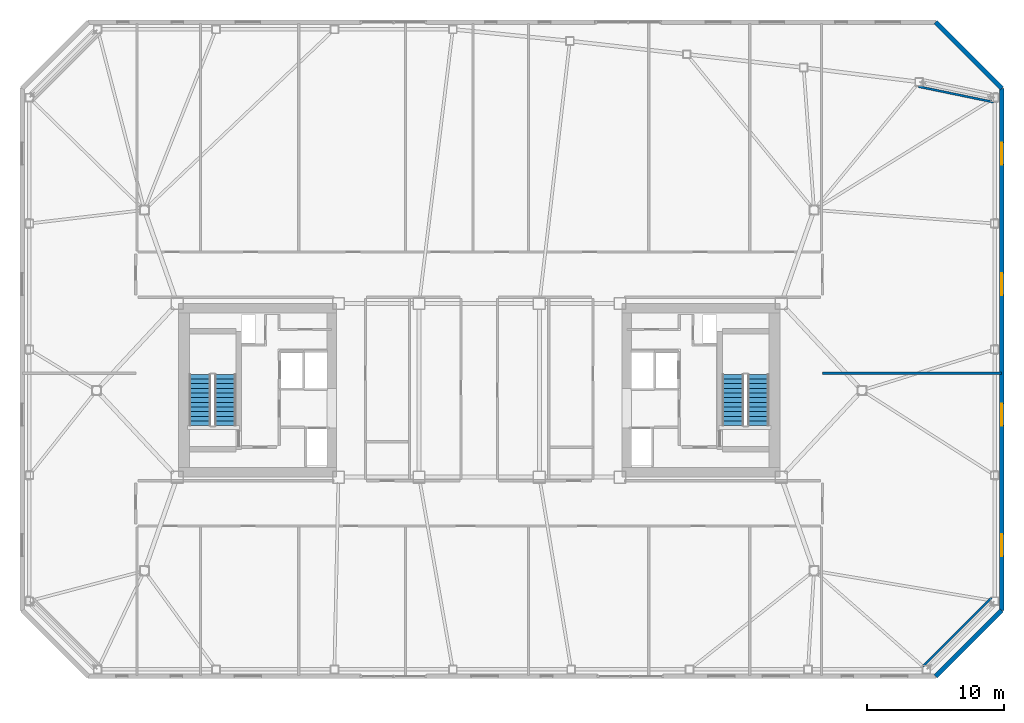
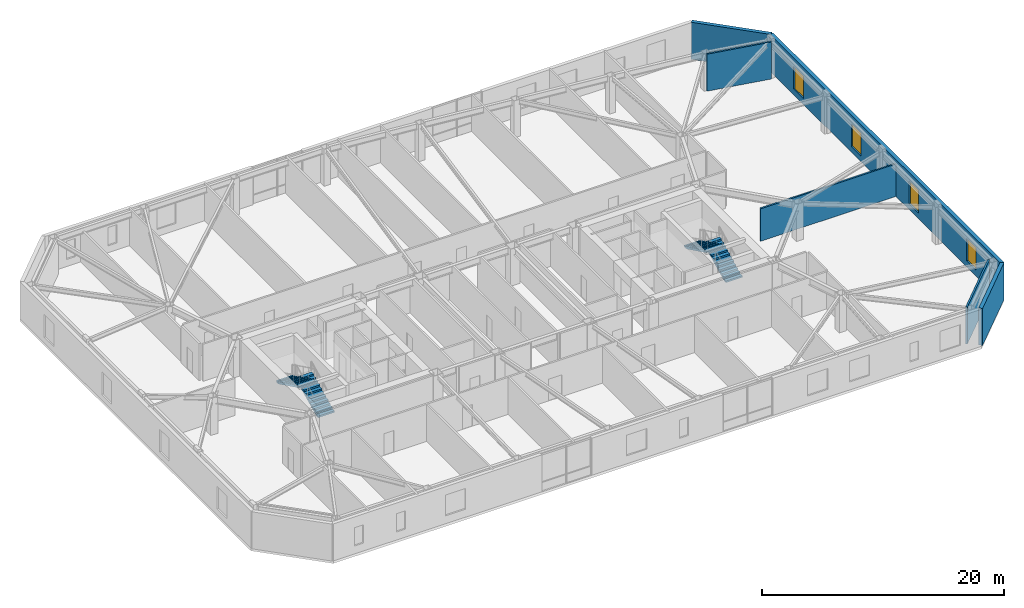
# One storey, part 14 of 18: 6 walls, 4 stair flights, 4 windows, 4 openings, 2 elements without a shape of their own.
"""IFC4 building model written with IfcOpenShell, lengths in metres."""

from ifc_helpers import new_model, si_unit, direction, frame, frame_2d, origin, place, context, subcontext, project, spatial, polyline, rectangle, outline, extrude, material, layer, layer_set, type_object, element, fill, aggregate, save


model = new_model("IFC4")

# Units and contexts
model_context = context("Model", 3, precision=1e-05, world=origin(), true_north=direction((0.0, 1.0)))
body_context = subcontext(model_context, "Body", "Model", "MODEL_VIEW")
ifc_project = project(units=[si_unit("LENGTHUNIT", "METRE"), si_unit("AREAUNIT", "SQUARE_METRE"), si_unit("VOLUMEUNIT", "CUBIC_METRE"), si_unit("PLANEANGLEUNIT", "RADIAN"), si_unit("MASSUNIT", "GRAM", prefix="KILO")], contexts=[model_context])

# Site, building, storey
site_placement = place(None, origin())
site = spatial("IfcSite", under=ifc_project, at=site_placement, CompositionType="ELEMENT")
building_placement = place(site_placement, origin())
building = spatial("IfcBuilding", under=site, at=building_placement, Name="Tavrogorsk Clinical Tower", CompositionType="ELEMENT")
storey_placement = place(building_placement, frame((0.0, 0.0, 200.199951171875)))
storey = spatial("IfcBuildingStorey", under=building, at=storey_placement, Name="L46", CompositionType="ELEMENT", Elevation=200.199951171875)

# Walls
ifc_material_1 = material(Name="Lightweight concrete blockwork B15", Category="masonry")
ifc_layer_1 = layer(ifc_material_1, 0.159912109375)
ifc_layer_set_1 = layer_set([ifc_layer_1], Name="Lightweight concrete blockwork B15")
wall_type_1 = type_object("IfcWallType", Name="PartitionWall_160", PredefinedType="PARTITIONING", material=ifc_layer_set_1)
wall_1_placement = place(storey_placement, frame((32.4794921875, -20.1796875, 0.0), z_axis=(0.0, 0.0, 1.0), x_axis=(0.707106781187, 0.707106781187, 0.0)))
element("IfcWall", 1, at=wall_1_placement, inside=storey, type_object=wall_type_1, Name="L46 Corner Exoskeleton Brace Furring Wall 1", PredefinedType="PARTITIONING", context=body_context, shape_type="SweptSolid", body=[
    extrude(rectangle(XDim=7.071044921875, YDim=0.159912109375, at=frame_2d((3.53564453125, 0.0))), origin(), (0.0, 0.0, 1.0), 3.739990234375),
])
wall_2_placement = place(storey_placement, frame((37.65087890625, 21.0869140625, 0.0), z_axis=(0.0, 0.0, 1.0), x_axis=(-0.979184618318, 0.202971631636, 0.0)))
element("IfcWall", 2, at=wall_2_placement, inside=storey, type_object=wall_type_1, Name="L46 Corner Exoskeleton Brace Furring Wall 2", PredefinedType="PARTITIONING", context=body_context, shape_type="SweptSolid", body=[
    extrude(rectangle(XDim=5.64599609375, YDim=0.159912109375, at=frame_2d((2.822998046875, 0.0))), origin(), (0.0, 0.0, 1.0), 3.739990234375),
])
wall_3_placement = place(storey_placement, frame((25.1298828125, 1.25, 0.0), z_axis=(0.0, 0.0, 1.0), x_axis=(1.0, 0.0, 0.0)))
element("IfcWall", 3, at=wall_3_placement, inside=storey, type_object=wall_type_1, Name="L46 E Wing Divider 1", PredefinedType="PARTITIONING", context=body_context, shape_type="SweptSolid", body=[
    extrude(rectangle(XDim=13.080078125, YDim=0.159912109375, at=frame_2d((6.5400390625, 0.0))), origin(), (0.0, 0.0, 1.0), 3.28515625),
])

# Wall, openings, windows
ifc_material_2 = material(Name="Precast concrete B45 with limestone cladding", Category="masonry")
ifc_layer_2 = layer(ifc_material_2, 0.340087890625)
ifc_layer_set_2 = layer_set([ifc_layer_2], Name="Precast concrete B45 with limestone cladding")
wall_type_2 = type_object("IfcWallType", Name="PrecastLimestoneWall_340", PredefinedType="STANDARD", material=ifc_layer_set_2)
wall_4_placement = place(storey_placement, frame((38.22998046875, -16.10009765625, 0.0), z_axis=(0.0, 0.0, 1.0), x_axis=(0.0, 1.0, 0.0)))
wall_4 = element("IfcWall", 4, at=wall_4_placement, inside=storey, type_object=wall_type_2, Name="L46 E Pleated Limestone Wing Wall", PredefinedType="STANDARD", context=body_context, shape_type="SweptSolid", body=[
    extrude(rectangle(XDim=38.2001953125, YDim=0.340087890625, at=frame_2d((19.10009765625, 0.0))), origin(), (0.0, 0.0, 1.0), 3.739990234375),
])
opening_1_placement = place(wall_4_placement, frame((3.97509765625, 0.0, 0.580078125)))
opening_1 = element("IfcOpeningElement", 5, at=opening_1_placement, cuts=wall_4, Name="Opening WN-07", PredefinedType="OPENING", context=body_context, shape_type="SweptSolid", body=[
    extrude(rectangle(XDim=1.60009765625, YDim=2.300048828125, at=frame_2d((0.800048828125, 1.14990234375))), frame((0.0, 0.179931640625, 0.0), z_axis=(0.0, -1.0, 0.0), x_axis=(1.0, 0.0, 0.0)), (0.0, 0.0, 1.0), 0.360107421875),
])
opening_2_placement = place(wall_4_placement, frame((13.52490234375, 0.0, 0.580078125)))
opening_2 = element("IfcOpeningElement", 6, at=opening_2_placement, cuts=wall_4, Name="Opening WN-07", PredefinedType="OPENING", context=body_context, shape_type="SweptSolid", body=[
    extrude(rectangle(XDim=1.60009765625, YDim=2.300048828125, at=frame_2d((0.800048828125, 1.14990234375))), frame((0.0, 0.179931640625, 0.0), z_axis=(0.0, -1.0, 0.0), x_axis=(1.0, 0.0, 0.0)), (0.0, 0.0, 1.0), 0.360107421875),
])
opening_3_placement = place(wall_4_placement, frame((23.074951171875, 0.0, 0.580078125)))
opening_3 = element("IfcOpeningElement", 7, at=opening_3_placement, cuts=wall_4, Name="Opening WN-07", PredefinedType="OPENING", context=body_context, shape_type="SweptSolid", body=[
    extrude(rectangle(XDim=1.60009765625, YDim=2.300048828125, at=frame_2d((0.800048828125, 1.14990234375))), frame((0.0, 0.179931640625, 0.0), z_axis=(0.0, -1.0, 0.0), x_axis=(1.0, 0.0, 0.0)), (0.0, 0.0, 1.0), 0.360107421875),
])
opening_4_placement = place(wall_4_placement, frame((32.625, 0.0, 0.580078125)))
opening_4 = element("IfcOpeningElement", 8, at=opening_4_placement, cuts=wall_4, Name="Opening WN-07", PredefinedType="OPENING", context=body_context, shape_type="SweptSolid", body=[
    extrude(rectangle(XDim=1.60009765625, YDim=2.300048828125, at=frame_2d((0.800048828125, 1.14990234375))), frame((0.0, 0.179931640625, 0.0), z_axis=(0.0, -1.0, 0.0), x_axis=(1.0, 0.0, 0.0)), (0.0, 0.0, 1.0), 0.360107421875),
])
ifc_material_3 = material(Name="Thermally broken aluminium frame and triple IGU", Category="aluminium")
window_type = type_object("IfcWindowType", Name="PleatSlotWin_1600x2300", PartitioningType="SINGLE_PANEL", PredefinedType="WINDOW", material=ifc_material_3)
window_1_placement = place(opening_1_placement, origin())
window_1 = element("IfcWindow", 9, at=window_1_placement, inside=storey, type_object=window_type, Name="L46 E Pleat Slot Window 1", OverallHeight=2.300048828125, OverallWidth=1.60009765625, PartitioningType="SINGLE_PANEL", PredefinedType="WINDOW", context=body_context, shape_type="SweptSolid", body=[
    extrude(rectangle(XDim=1.60009765625, YDim=2.300048828125, at=frame_2d((0.800048828125, 1.14990234375))), frame((0.0, 0.030029296875, 0.0), z_axis=(0.0, -1.0, 0.0), x_axis=(1.0, 0.0, 0.0)), (0.0, 0.0, 1.0), 0.06005859375),
])
fill(opening_1, window_1)
window_2_placement = place(opening_2_placement, origin())
window_2 = element("IfcWindow", 10, at=window_2_placement, inside=storey, type_object=window_type, Name="L46 E Pleat Slot Window 2", OverallHeight=2.300048828125, OverallWidth=1.60009765625, PartitioningType="SINGLE_PANEL", PredefinedType="WINDOW", context=body_context, shape_type="SweptSolid", body=[
    extrude(rectangle(XDim=1.60009765625, YDim=2.300048828125, at=frame_2d((0.800048828125, 1.14990234375))), frame((0.0, 0.030029296875, 0.0), z_axis=(0.0, -1.0, 0.0), x_axis=(1.0, 0.0, 0.0)), (0.0, 0.0, 1.0), 0.06005859375),
])
fill(opening_2, window_2)
window_3_placement = place(opening_3_placement, origin())
window_3 = element("IfcWindow", 11, at=window_3_placement, inside=storey, type_object=window_type, Name="L46 E Pleat Slot Window 3", OverallHeight=2.300048828125, OverallWidth=1.60009765625, PartitioningType="SINGLE_PANEL", PredefinedType="WINDOW", context=body_context, shape_type="SweptSolid", body=[
    extrude(rectangle(XDim=1.60009765625, YDim=2.300048828125, at=frame_2d((0.800048828125, 1.14990234375))), frame((0.0, 0.030029296875, 0.0), z_axis=(0.0, -1.0, 0.0), x_axis=(1.0, 0.0, 0.0)), (0.0, 0.0, 1.0), 0.06005859375),
])
fill(opening_3, window_3)
window_4_placement = place(opening_4_placement, origin())
window_4 = element("IfcWindow", 12, at=window_4_placement, inside=storey, type_object=window_type, Name="L46 E Pleat Slot Window 4", OverallHeight=2.300048828125, OverallWidth=1.60009765625, PartitioningType="SINGLE_PANEL", PredefinedType="WINDOW", context=body_context, shape_type="SweptSolid", body=[
    extrude(rectangle(XDim=1.60009765625, YDim=2.300048828125, at=frame_2d((0.800048828125, 1.14990234375))), frame((0.0, 0.030029296875, 0.0), z_axis=(0.0, -1.0, 0.0), x_axis=(1.0, 0.0, 0.0)), (0.0, 0.0, 1.0), 0.06005859375),
])
fill(opening_4, window_4)

# Walls
for number, where, z_axis, x_axis, name in (
    (13, (33.39990234375, -20.929931640625, 0.0), (0.0, 0.0, 1.0), (0.707124652085, 0.707088909836, 0.0), "L46 Chamfered Corner Wall 1"),
    (14, (38.22998046875, 22.10009765625, 0.0), (0.0, 0.0, 1.0), (-0.707124652085, 0.707088909836, 0.0), "L46 Chamfered Corner Wall 2"),
):
    element("IfcWall", number, at=place(storey_placement, frame(where, z_axis=z_axis, x_axis=x_axis)), inside=storey, type_object=wall_type_2, Name=name, PredefinedType="STANDARD", context=body_context, shape_type="SweptSolid", body=[
        extrude(rectangle(XDim=6.83056640625, YDim=0.340087890625, at=frame_2d((3.415283203125, 0.0))), origin(), (0.0, 0.0, 1.0), 3.739990234375),
    ])

# Stair, stair flights
ifc_material_4 = material(Name="Concrete B60", Category="concrete")
stair_type = type_object("IfcStairType", Name="CoreStairAssembly", PredefinedType="HALF_TURN_STAIR", material=ifc_material_4)
stair_1_placement = place(storey_placement, origin())
stair_1 = element("IfcStair", 15, at=stair_1_placement, inside=storey, type_object=stair_type, Name="L46 ST-W", PredefinedType="HALF_TURN_STAIR")
ifc_material_5 = material(Name="Concrete B60", Category="concrete")
stair_flight_type = type_object("IfcStairFlightType", Name="CoreStairFlight", PredefinedType="STRAIGHT", material=ifc_material_5)
stair_flight_1_placement = place(storey_placement, frame((-18.574951171875, -2.574951171875, 0.0), z_axis=(0.0, 0.0, 1.0), x_axis=(0.0, 1.0, 0.0)))
stair_flight_1 = element("IfcStairFlight", 16, at=stair_flight_1_placement, type_object=stair_flight_type, Name="ST-W flight 1", NumberOfRisers=12, NumberOfTreads=11, PredefinedType="STRAIGHT", RiserHeight=0.166666667, TreadLength=0.34, context=body_context, shape_type="SweptSolid", body=[
    extrude(outline(polyline([(0.0, 0.0), (0.0, 0.166748046875), (0.340087890625, 0.166748046875), (0.340087890625, 0.333251953125), (0.679931640625, 0.333251953125), (0.679931640625, 0.5), (1.02001953125, 0.5), (1.02001953125, 0.666748046875), (1.360107421875, 0.666748046875), (1.360107421875, 0.833251953125), (1.699951171875, 0.833251953125), (1.699951171875, 1.0), (2.0400390625, 1.0), (2.0400390625, 1.166748046875), (2.3798828125, 1.166748046875), (2.3798828125, 1.333251953125), (2.719970703125, 1.333251953125), (2.719970703125, 1.5), (3.06005859375, 1.5), (3.06005859375, 1.666748046875), (3.39990234375, 1.666748046875), (3.39990234375, 1.833251953125), (3.739990234375, 1.833251953125), (3.739990234375, 2.0), (3.739990234375, 1.66650390625), (0.340576171875, 0.0), (0.0, 0.0)])), frame((0.0, 0.77490234375, 0.0), z_axis=(0.0, -1.0, 0.0), x_axis=(1.0, 0.0, 0.0)), (0.0, 0.0, 1.0), 1.550048828125),
])
stair_flight_2_placement = place(storey_placement, frame((-20.425048828125, 1.1650390625, 2.0), z_axis=(0.0, 0.0, 1.0), x_axis=(0.0, -1.0, 0.0)))
stair_flight_2 = element("IfcStairFlight", 17, at=stair_flight_2_placement, type_object=stair_flight_type, Name="ST-W flight 2", NumberOfRisers=12, NumberOfTreads=11, PredefinedType="STRAIGHT", RiserHeight=0.166666667, TreadLength=0.34, context=body_context, shape_type="SweptSolid", body=[
    extrude(outline(polyline([(0.0, 0.0), (0.0, 0.166748046875), (0.340087890625, 0.166748046875), (0.340087890625, 0.333251953125), (0.679931640625, 0.333251953125), (0.679931640625, 0.5), (1.02001953125, 0.5), (1.02001953125, 0.666748046875), (1.360107421875, 0.666748046875), (1.360107421875, 0.833251953125), (1.699951171875, 0.833251953125), (1.699951171875, 1.0), (2.0400390625, 1.0), (2.0400390625, 1.166748046875), (2.3798828125, 1.166748046875), (2.3798828125, 1.333251953125), (2.719970703125, 1.333251953125), (2.719970703125, 1.5), (3.06005859375, 1.5), (3.06005859375, 1.666748046875), (3.39990234375, 1.666748046875), (3.39990234375, 1.833251953125), (3.739990234375, 1.833251953125), (3.739990234375, 2.0), (3.739990234375, 1.66650390625), (0.340576171875, 0.0), (0.0, 0.0)])), frame((0.0, 0.77490234375, 0.0), z_axis=(0.0, -1.0, 0.0), x_axis=(1.0, 0.0, 0.0)), (0.0, 0.0, 1.0), 1.550048828125),
])
aggregate(stair_1, [stair_flight_1, stair_flight_2])

stair_2_placement = place(storey_placement, origin())
stair_2 = element("IfcStair", 18, at=stair_2_placement, inside=storey, type_object=stair_type, Name="L46 ST-E", PredefinedType="HALF_TURN_STAIR")
stair_flight_3_placement = place(storey_placement, frame((20.425048828125, -2.574951171875, 0.0), z_axis=(0.0, 0.0, 1.0), x_axis=(0.0, 1.0, 0.0)))
stair_flight_3 = element("IfcStairFlight", 19, at=stair_flight_3_placement, type_object=stair_flight_type, Name="ST-E flight 1", NumberOfRisers=12, NumberOfTreads=11, PredefinedType="STRAIGHT", RiserHeight=0.166666667, TreadLength=0.34, context=body_context, shape_type="SweptSolid", body=[
    extrude(outline(polyline([(0.0, 0.0), (0.0, 0.166748046875), (0.340087890625, 0.166748046875), (0.340087890625, 0.333251953125), (0.679931640625, 0.333251953125), (0.679931640625, 0.5), (1.02001953125, 0.5), (1.02001953125, 0.666748046875), (1.360107421875, 0.666748046875), (1.360107421875, 0.833251953125), (1.699951171875, 0.833251953125), (1.699951171875, 1.0), (2.0400390625, 1.0), (2.0400390625, 1.166748046875), (2.3798828125, 1.166748046875), (2.3798828125, 1.333251953125), (2.719970703125, 1.333251953125), (2.719970703125, 1.5), (3.06005859375, 1.5), (3.06005859375, 1.666748046875), (3.39990234375, 1.666748046875), (3.39990234375, 1.833251953125), (3.739990234375, 1.833251953125), (3.739990234375, 2.0), (3.739990234375, 1.66650390625), (0.340576171875, 0.0), (0.0, 0.0)])), frame((0.0, 0.77490234375, 0.0), z_axis=(0.0, -1.0, 0.0), x_axis=(1.0, 0.0, 0.0)), (0.0, 0.0, 1.0), 1.550048828125),
])
stair_flight_4_placement = place(storey_placement, frame((18.574951171875, 1.1650390625, 2.0), z_axis=(0.0, 0.0, 1.0), x_axis=(0.0, -1.0, 0.0)))
stair_flight_4 = element("IfcStairFlight", 20, at=stair_flight_4_placement, type_object=stair_flight_type, Name="ST-E flight 2", NumberOfRisers=12, NumberOfTreads=11, PredefinedType="STRAIGHT", RiserHeight=0.166666667, TreadLength=0.34, context=body_context, shape_type="SweptSolid", body=[
    extrude(outline(polyline([(0.0, 0.0), (0.0, 0.166748046875), (0.340087890625, 0.166748046875), (0.340087890625, 0.333251953125), (0.679931640625, 0.333251953125), (0.679931640625, 0.5), (1.02001953125, 0.5), (1.02001953125, 0.666748046875), (1.360107421875, 0.666748046875), (1.360107421875, 0.833251953125), (1.699951171875, 0.833251953125), (1.699951171875, 1.0), (2.0400390625, 1.0), (2.0400390625, 1.166748046875), (2.3798828125, 1.166748046875), (2.3798828125, 1.333251953125), (2.719970703125, 1.333251953125), (2.719970703125, 1.5), (3.06005859375, 1.5), (3.06005859375, 1.666748046875), (3.39990234375, 1.666748046875), (3.39990234375, 1.833251953125), (3.739990234375, 1.833251953125), (3.739990234375, 2.0), (3.739990234375, 1.66650390625), (0.340576171875, 0.0), (0.0, 0.0)])), frame((0.0, 0.77490234375, 0.0), z_axis=(0.0, -1.0, 0.0), x_axis=(1.0, 0.0, 0.0)), (0.0, 0.0, 1.0), 1.550048828125),
])
aggregate(stair_2, [stair_flight_3, stair_flight_4])

save(model, "model.ifc")
